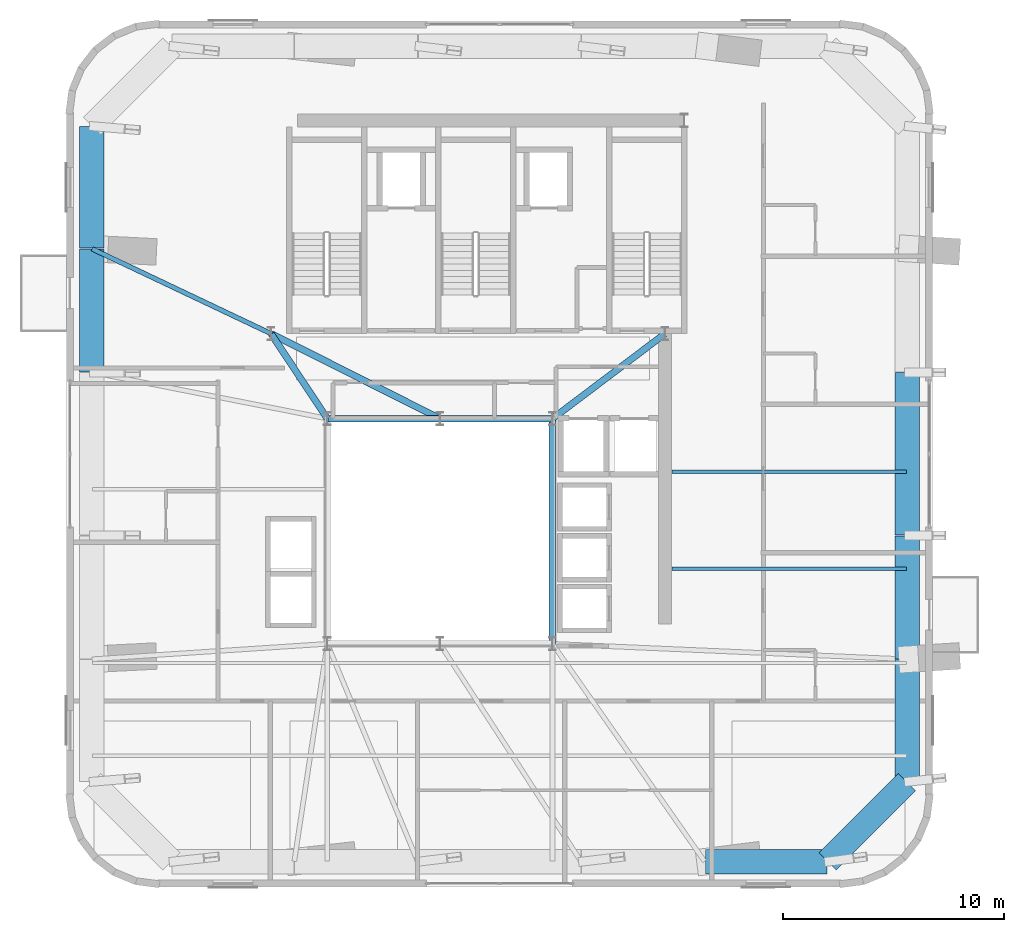
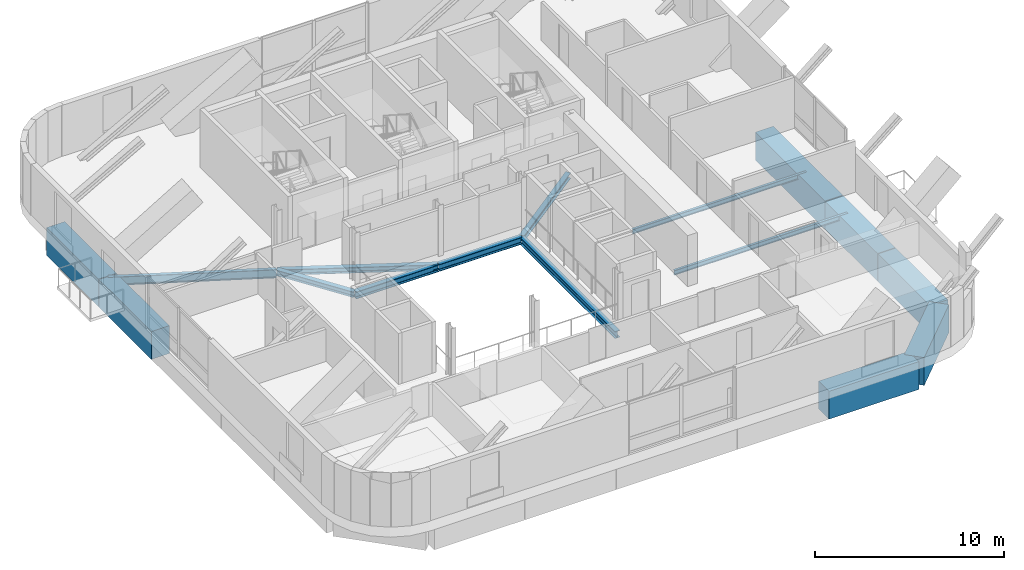
# One storey, part 3 of 12: 16 beams.
"""IFC4 building model written with IfcOpenShell, lengths in metres."""

from ifc_helpers import new_model, si_unit, direction, frame, origin, origin_2d, place, context, subcontext, project, spatial, rectangle, i_section, extrude, source, transform, mapped, material, material_profile, profile_set, type_object, element, save


model = new_model("IFC4")

# Units and contexts
model_context = context("Model", 3, precision=1e-05, world=origin(), true_north=direction((0.0, 1.0)))
body_context = subcontext(model_context, "Body", "Model", "MODEL_VIEW")
ifc_project = project(units=[si_unit("LENGTHUNIT", "METRE"), si_unit("AREAUNIT", "SQUARE_METRE"), si_unit("VOLUMEUNIT", "CUBIC_METRE"), si_unit("PLANEANGLEUNIT", "RADIAN"), si_unit("MASSUNIT", "GRAM", prefix="KILO")], contexts=[model_context])

# Site, building, storey
site_placement = place(None, origin())
site = spatial("IfcSite", under=ifc_project, at=site_placement, CompositionType="ELEMENT")
building_placement = place(site_placement, origin())
building = spatial("IfcBuilding", under=site, at=building_placement, Name="Vardaveli Station Tower", CompositionType="ELEMENT")
storey_placement = place(building_placement, frame((0.0, 0.0, 282.199951171875)))
storey = spatial("IfcBuildingStorey", under=building, at=storey_placement, Name="L72", CompositionType="ELEMENT", Elevation=282.199951171875)

# Beams
ifc_material_1 = material(Name="Structural steel S355J2", Category="steel")
ifc_material_profile_1 = material_profile(ifc_material_1, i_section(OverallWidth=0.300048828125, OverallDepth=0.449951171875, WebThickness=0.013916015625, FlangeThickness=0.02587890625, FilletRadius=0.027099609375, at=origin_2d()), Name="HEB 450")
ifc_profile_set_1 = profile_set([ifc_material_profile_1], Name="Structural steel S355J2")
beam_type_1 = type_object("IfcBeamType", Name="BM-HEB450", PredefinedType="BEAM", material=ifc_profile_set_1)
shared_shape_1 = source(origin(), body_context, "Body", "SweptSolid", [
    extrude(i_section(OverallWidth=0.300048828125, OverallDepth=0.449951171875, WebThickness=0.013916015625, FlangeThickness=0.02587890625, FilletRadius=0.027099609375, at=origin_2d()), origin(), (0.0, 0.0, 1.0), 5.06005859375),
])
beam_1_placement = place(storey_placement, frame((36.280029296875, 26.800048828125, -0.875), z_axis=(-1.0, 0.0, 0.0), x_axis=(0.0, -1.0, 0.0)))
element("IfcBeam", 1, at=beam_1_placement, inside=storey, type_object=beam_type_1, Name="ABM-L72-05", PredefinedType="BEAM", context=body_context, shape_type="MappedRepresentation", body=[
    mapped(shared_shape_1, transform((0.0, 0.0, 0.0), scale=1.0)),
])
shared_shape_2 = source(origin(), body_context, "Body", "SweptSolid", [
    extrude(i_section(OverallWidth=0.300048828125, OverallDepth=0.449951171875, WebThickness=0.013916015625, FlangeThickness=0.02587890625, FilletRadius=0.027099609375, at=origin_2d()), origin(), (0.0, 0.0, 1.0), 5.059814453125),
])
beam_2_placement = place(storey_placement, frame((41.3798828125, 26.800048828125, -0.875), z_axis=(-1.0, 0.0, 0.0), x_axis=(0.0, -1.0, 0.0)))
element("IfcBeam", 2, at=beam_2_placement, inside=storey, type_object=beam_type_1, Name="ABM-L72-04", PredefinedType="BEAM", context=body_context, shape_type="MappedRepresentation", body=[
    mapped(shared_shape_2, transform((0.0, 0.0, 0.0), scale=1.0)),
])
shared_shape_3 = source(origin(), body_context, "Body", "SweptSolid", [
    extrude(i_section(OverallWidth=0.300048828125, OverallDepth=0.449951171875, WebThickness=0.013916015625, FlangeThickness=0.02587890625, FilletRadius=0.027099609375, at=origin_2d()), origin(), (0.0, 0.0, 1.0), 10.159912109375),
])
beam_3_placement = place(storey_placement, frame((41.39990234375, 16.6201171875, -0.875), z_axis=(0.0, 1.0, 0.0), x_axis=(-1.0, 0.0, 0.0)))
element("IfcBeam", 3, at=beam_3_placement, inside=storey, type_object=beam_type_1, Name="ABM-L72-03", PredefinedType="BEAM", context=body_context, shape_type="MappedRepresentation", body=[
    mapped(shared_shape_3, transform((0.0, 0.0, 0.0), scale=1.0)),
])
ifc_material_profile_2 = material_profile(ifc_material_1, i_section(OverallWidth=0.300048828125, OverallDepth=0.360107421875, WebThickness=0.012451171875, FlangeThickness=0.0224609375, FilletRadius=0.027099609375, at=origin_2d()), Name="HEB 360")
ifc_profile_set_2 = profile_set([ifc_material_profile_2], Name="Structural steel S355J2")
beam_type_2 = type_object("IfcBeamType", Name="BM-HEB360", PredefinedType="BEAM", material=ifc_profile_set_2)
shared_shape_4 = source(origin(), body_context, "Body", "SweptSolid", [
    extrude(i_section(OverallWidth=0.300048828125, OverallDepth=0.360107421875, WebThickness=0.012451171875, FlangeThickness=0.0224609375, FilletRadius=0.027099609375, at=origin_2d()), origin(), (0.0, 0.0, 1.0), 4.577880859375),
])
beam_4_placement = place(storey_placement, frame((31.18896484375, 26.816650390625, -0.829833984375), z_axis=(-0.55218702139, 0.833720272879, 0.0), x_axis=(-0.833720272879, -0.55218702139, 0.0)))
element("IfcBeam", 4, at=beam_4_placement, inside=storey, type_object=beam_type_2, Name="CBM-L72-01", PredefinedType="BEAM", context=body_context, shape_type="MappedRepresentation", body=[
    mapped(shared_shape_4, transform((0.0, 0.0, 0.0), scale=1.0)),
])
shared_shape_5 = source(origin(), body_context, "Body", "SweptSolid", [
    extrude(i_section(OverallWidth=0.300048828125, OverallDepth=0.360107421875, WebThickness=0.012451171875, FlangeThickness=0.0224609375, FilletRadius=0.027099609375, at=origin_2d()), origin(), (0.0, 0.0, 1.0), 6.35009765625),
])
beam_5_placement = place(storey_placement, frame((41.416015625, 26.81201171875, -0.829833984375), z_axis=(0.798118337722, 0.602500721154, 0.0), x_axis=(-0.602500721154, 0.798118337722, 0.0)))
element("IfcBeam", 5, at=beam_5_placement, inside=storey, type_object=beam_type_2, Name="CBM-L72-02", PredefinedType="BEAM", context=body_context, shape_type="MappedRepresentation", body=[
    mapped(shared_shape_5, transform((0.0, 0.0, 0.0), scale=1.0)),
])
shared_shape_6 = source(origin(), body_context, "Body", "SweptSolid", [
    extrude(i_section(OverallWidth=0.300048828125, OverallDepth=0.360107421875, WebThickness=0.012451171875, FlangeThickness=0.0224609375, FilletRadius=0.027099609375, at=origin_2d()), origin(), (0.0, 0.0, 1.0), 8.524169921875),
])
beam_6_placement = place(storey_placement, frame((28.66796875, 30.64111328125, -0.829833984375), z_axis=(0.893255584708, -0.449549174605, 0.0), x_axis=(0.449549174605, 0.893255584708, 0.0)))
element("IfcBeam", 6, at=beam_6_placement, inside=storey, type_object=beam_type_2, Name="CBM-L72-03", PredefinedType="BEAM", context=body_context, shape_type="MappedRepresentation", body=[
    mapped(shared_shape_6, transform((0.0, 0.0, 0.0), scale=1.0)),
])
ifc_material_2 = material(Name="Concrete C60/75", Category="concrete")
ifc_material_profile_3 = material_profile(ifc_material_2, rectangle(XDim=1.10009765625, YDim=1.800048828125, at=origin_2d()), Name="TG 1100x1800")
ifc_profile_set_3 = profile_set([ifc_material_profile_3], Name="Concrete C60/75")
beam_type_3 = type_object("IfcBeamType", Name="BM-TG-1800", PredefinedType="BEAM", material=ifc_profile_set_3)
shared_shape_7 = source(origin(), body_context, "Body", "SweptSolid", [
    extrude(rectangle(XDim=1.10009765625, YDim=1.800048828125, at=origin_2d()), origin(), (0.0, 0.0, 1.0), 5.56005859375),
])
for number, where, z_axis, x_axis, name in (
    (7, (57.469970703125, 15.919921875, -1.550048828125), (0.0, 1.0, 0.0), (-1.0, 0.0, 0.0), "RBM-L72-07"),
    (8, (20.530029296875, 34.47998046875, -1.550048828125), (0.0, -1.0, 0.0), (1.0, 0.0, 0.0), "RBM-L72-19"),
):
    element("IfcBeam", number, at=place(storey_placement, frame(where, z_axis=z_axis, x_axis=x_axis)), inside=storey, type_object=beam_type_3, Name=name, PredefinedType="BEAM", context=body_context, shape_type="MappedRepresentation", body=[
        mapped(shared_shape_7, transform((0.0, 0.0, 0.0), scale=1.0)),
    ])
shared_shape_8 = source(origin(), body_context, "Body", "SweptSolid", [
    extrude(rectangle(XDim=1.10009765625, YDim=1.800048828125, at=origin_2d()), origin(), (0.0, 0.0, 1.0), 7.35986328125),
])
beam_7_placement = place(storey_placement, frame((57.469970703125, 21.52001953125, -1.550048828125), z_axis=(0.0, 1.0, 0.0), x_axis=(-1.0, 0.0, 0.0)))
element("IfcBeam", 9, at=beam_7_placement, inside=storey, type_object=beam_type_3, Name="RBM-L72-08", PredefinedType="BEAM", context=body_context, shape_type="MappedRepresentation", body=[
    mapped(shared_shape_8, transform((0.0, 0.0, 0.0), scale=1.0)),
])
shared_shape_9 = source(origin(), body_context, "Body", "SweptSolid", [
    extrude(rectangle(XDim=1.10009765625, YDim=1.800048828125, at=origin_2d()), origin(), (0.0, 0.0, 1.0), 5.510009765625),
])
for number, where, z_axis, x_axis, name in (
    (10, (48.320068359375, 6.72998046875, -1.550048828125), (1.0, 0.0, 0.0), (0.0, 1.0, 0.0), "RBM-L72-04"),
    (11, (20.530029296875, 40.030029296875, -1.550048828125), (0.0, -1.0, 0.0), (1.0, 0.0, 0.0), "RBM-L72-18"),
):
    element("IfcBeam", number, at=place(storey_placement, frame(where, z_axis=z_axis, x_axis=x_axis)), inside=storey, type_object=beam_type_3, Name=name, PredefinedType="BEAM", context=body_context, shape_type="MappedRepresentation", body=[
        mapped(shared_shape_9, transform((0.0, 0.0, 0.0), scale=1.0)),
    ])
shared_shape_10 = source(origin(), body_context, "Body", "SweptSolid", [
    extrude(rectangle(XDim=1.10009765625, YDim=1.800048828125, at=origin_2d()), origin(), (0.0, 0.0, 1.0), 5.079345703125),
])
beam_8_placement = place(storey_placement, frame((53.8642578125, 6.744140625, -1.550048828125), z_axis=(0.707082748328, 0.707130813228, 0.0), x_axis=(-0.707130813228, 0.707082748328, 0.0)))
element("IfcBeam", 12, at=beam_8_placement, inside=storey, type_object=beam_type_3, Name="RBM-L72-05", PredefinedType="BEAM", context=body_context, shape_type="MappedRepresentation", body=[
    mapped(shared_shape_10, transform((0.0, 0.0, 0.0), scale=1.0)),
])
shared_shape_11 = source(origin(), body_context, "Body", "SweptSolid", [
    extrude(rectangle(XDim=1.10009765625, YDim=1.800048828125, at=origin_2d()), origin(), (0.0, 0.0, 1.0), 5.509765625),
])
beam_9_placement = place(storey_placement, frame((57.469970703125, 10.3701171875, -1.550048828125), z_axis=(0.0, 1.0, 0.0), x_axis=(-1.0, 0.0, 0.0)))
element("IfcBeam", 13, at=beam_9_placement, inside=storey, type_object=beam_type_3, Name="RBM-L72-06", PredefinedType="BEAM", context=body_context, shape_type="MappedRepresentation", body=[
    mapped(shared_shape_11, transform((0.0, 0.0, 0.0), scale=1.0)),
])
ifc_material_profile_4 = material_profile(ifc_material_1, i_section(OverallWidth=0.2099609375, OverallDepth=0.550048828125, WebThickness=0.010986328125, FlangeThickness=0.01708984375, FilletRadius=0.02392578125, at=origin_2d()), Name="IPE 550")
ifc_profile_set_4 = profile_set([ifc_material_profile_4], Name="Structural steel S355J2")
beam_type_4 = type_object("IfcBeamType", Name="BM-IPE550", PredefinedType="BEAM", material=ifc_profile_set_4)
shared_shape_12 = source(origin(), body_context, "Body", "SweptSolid", [
    extrude(i_section(OverallWidth=0.2099609375, OverallDepth=0.550048828125, WebThickness=0.010986328125, FlangeThickness=0.01708984375, FilletRadius=0.02392578125, at=origin_2d()), origin(), (0.0, 0.0, 1.0), 8.946533203125),
])
beam_10_placement = place(storey_placement, frame((20.548095703125, 34.491455078125, -0.925048828125), z_axis=(0.903570515926, -0.428439403825, 0.0), x_axis=(0.428439403825, 0.903570515926, 0.0)))
element("IfcBeam", 14, at=beam_10_placement, inside=storey, type_object=beam_type_4, Name="GBM-L72-12", PredefinedType="BEAM", context=body_context, shape_type="MappedRepresentation", body=[
    mapped(shared_shape_12, transform((0.0, 0.0, 0.0), scale=1.0)),
])
ifc_material_profile_5 = material_profile(ifc_material_1, i_section(OverallWidth=0.14990234375, OverallDepth=0.300048828125, WebThickness=0.007080078125, FlangeThickness=0.0107421875, FilletRadius=0.014892578125, at=origin_2d()), Name="IPE 300")
ifc_profile_set_5 = profile_set([ifc_material_profile_5], Name="Structural steel S355J2")
beam_type_5 = type_object("IfcBeamType", Name="BM-IPE300", PredefinedType="JOIST", material=ifc_profile_set_5)
shared_shape_13 = source(origin(), body_context, "Body", "SweptSolid", [
    extrude(i_section(OverallWidth=0.14990234375, OverallDepth=0.300048828125, WebThickness=0.007080078125, FlangeThickness=0.0107421875, FilletRadius=0.014892578125, at=origin_2d()), origin(), (0.0, 0.0, 1.0), 10.625),
])
for number, where, z_axis, x_axis, name in (
    (15, (46.804931640625, 20.0, -0.800048828125), (1.0, 0.0, 0.0), (0.0, 1.0, 0.0), "SJ-L72-E09"),
    (16, (46.804931640625, 24.39990234375, -0.800048828125), (1.0, 0.0, 0.0), (0.0, 1.0, 0.0), "SJ-L72-E10"),
):
    element("IfcBeam", number, at=place(storey_placement, frame(where, z_axis=z_axis, x_axis=x_axis)), inside=storey, type_object=beam_type_5, Name=name, PredefinedType="JOIST", context=body_context, shape_type="MappedRepresentation", body=[
        mapped(shared_shape_13, transform((0.0, 0.0, 0.0), scale=1.0)),
    ])

save(model, "model.ifc")
